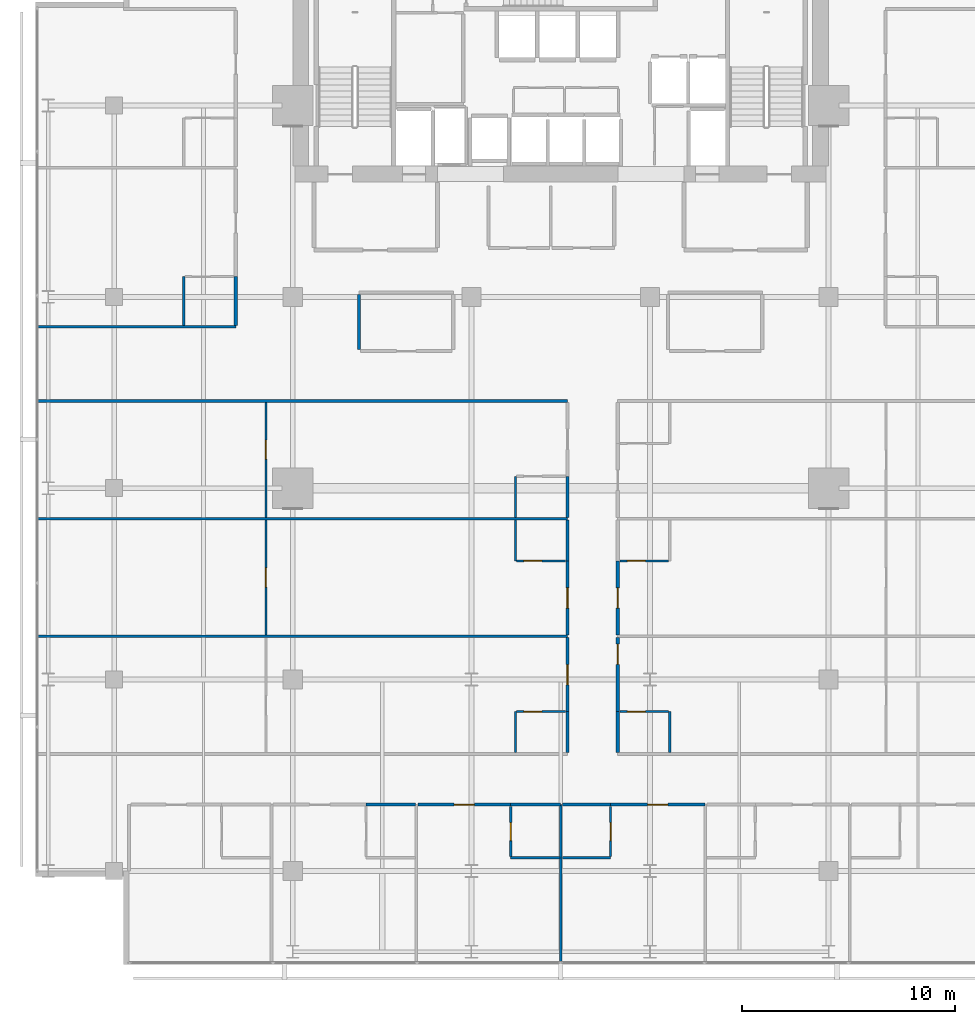
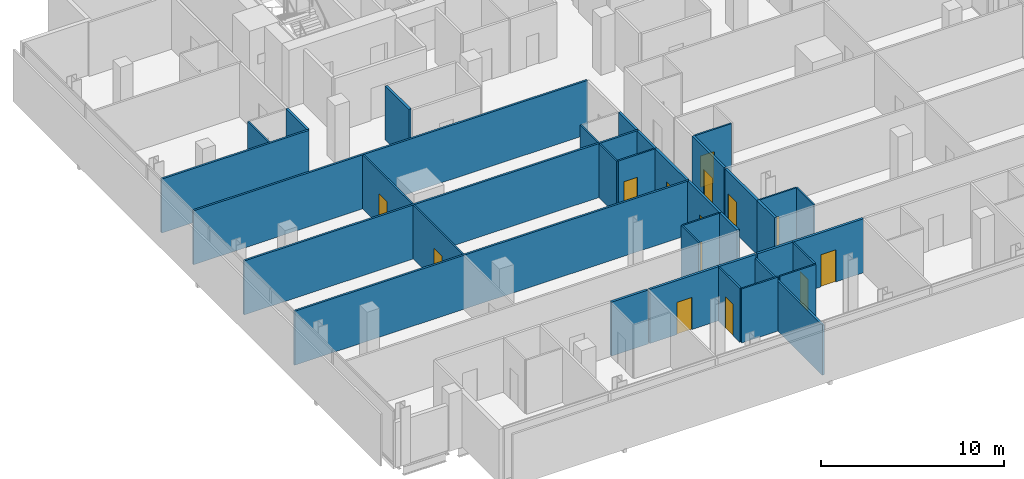
# One storey, part 27 of 33: 35 walls, 14 doors, 14 openings.
"""IFC4 building model written with IfcOpenShell, lengths in metres."""

from ifc_helpers import new_model, si_unit, direction, frame, frame_2d, origin, place, context, subcontext, project, spatial, rectangle, extrude, material, layer, layer_set, type_object, element, fill, save


model = new_model("IFC4")

# Units and contexts
model_context = context("Model", 3, precision=1e-05, world=origin(), true_north=direction((0.0, 1.0)))
body_context = subcontext(model_context, "Body", "Model", "MODEL_VIEW")
ifc_project = project(units=[si_unit("LENGTHUNIT", "METRE"), si_unit("AREAUNIT", "SQUARE_METRE"), si_unit("VOLUMEUNIT", "CUBIC_METRE"), si_unit("PLANEANGLEUNIT", "RADIAN"), si_unit("MASSUNIT", "GRAM", prefix="KILO")], contexts=[model_context])

# Site, building, storey
site_placement = place(None, origin())
site = spatial("IfcSite", under=ifc_project, at=site_placement, CompositionType="ELEMENT")
building_placement = place(site_placement, origin())
building = spatial("IfcBuilding", under=site, at=building_placement, Name="Maruvema Waterfront Hotel and Observation Tower", CompositionType="ELEMENT")
storey_placement = place(building_placement, frame((0.0, 0.0, 158.199951171875)))
storey = spatial("IfcBuildingStorey", under=building, at=storey_placement, Name="L38", CompositionType="ELEMENT", Elevation=158.199951171875)

# Walls
ifc_material_1 = material(Name="Twin-stud acoustic gypsum drywall", Category="gypsum")
ifc_layer_1 = layer(ifc_material_1, 0.14990234375, Name="Acoustic Corridor and Suite Demising Wall 150 mm")
ifc_layer_set_1 = layer_set([ifc_layer_1], Name="Twin-stud acoustic gypsum drywall")
wall_type_1 = type_object("IfcWallType", Name="Acoustic Corridor and Suite Demising Wall 150 mm", PredefinedType="PARTITIONING", material=ifc_layer_set_1)
wall_1_placement = place(storey_placement, frame((28.320068359375, 33.530029296875, 0.0), z_axis=(0.0, 0.0, 1.0), x_axis=(0.0, 1.0, 0.0)))
element("IfcWall", 1, at=wall_1_placement, inside=storey, type_object=wall_type_1, Name="L38 L38-M1 West Wall 028", PredefinedType="PARTITIONING", context=body_context, shape_type="SweptSolid", body=[
    extrude(rectangle(XDim=2.590087890625, YDim=0.14990234375, at=frame_2d((1.294921875, 0.0))), origin(), (0.0, 0.0, 1.0), 3.610107421875),
])
for number, where, z_axis, x_axis, name in (
    (2, (28.64990234375, 12.1201171875, 0.0), (0.0, 0.0, 1.0), (1.0, 0.0, 0.0), "L38 Bath L38-S2 Back Wall 042"),
    (3, (35.449951171875, 12.1201171875, 0.0), (0.0, 0.0, 1.0), (1.0, 0.0, 0.0), "L38 Bath L38-S3 Back Wall 047"),
):
    element("IfcWall", number, at=place(storey_placement, frame(where, z_axis=z_axis, x_axis=x_axis)), inside=storey, type_object=wall_type_1, Name=name, PredefinedType="PARTITIONING", context=body_context, shape_type="SweptSolid", body=[
        extrude(rectangle(XDim=2.330078125, YDim=0.14990234375, at=frame_2d((1.1650390625, 0.0))), origin(), (0.0, 0.0, 1.0), 3.610107421875),
    ])

# Wall, opening, door
wall_2_placement = place(storey_placement, frame((31.080078125, 12.1201171875, 0.0), z_axis=(0.0, 0.0, 1.0), x_axis=(1.0, 0.0, 0.0)))
wall_2 = element("IfcWall", 4, at=wall_2_placement, inside=storey, type_object=wall_type_1, Name="L38 Unit L38-S3 Corridor Wall 050", PredefinedType="PARTITIONING", context=body_context, shape_type="SweptSolid", body=[
    extrude(rectangle(XDim=4.369873046875, YDim=0.14990234375, at=frame_2d((2.18505859375, 0.0))), origin(), (0.0, 0.0, 1.0), 3.610107421875),
])
opening_1_placement = place(wall_2_placement, frame((1.7099609375, 0.0, 0.0)))
opening_1 = element("IfcOpeningElement", 5, at=opening_1_placement, cuts=wall_2, Name="Opening DR-095", PredefinedType="OPENING", context=body_context, shape_type="SweptSolid", body=[
    extrude(rectangle(XDim=0.949951171875, YDim=2.14990234375, at=frame_2d((0.47509765625, 1.074951171875))), frame((0.0, 0.0849609375, 0.0), z_axis=(0.0, -1.0, 0.0), x_axis=(1.0, 0.0, 0.0)), (0.0, 0.0, 1.0), 0.169921875),
])
ifc_material_2 = material(Name="Acoustic solid-core hardwood timber leaf", Category="wood")
door_type_1 = type_object("IfcDoorType", Name="Guestroom Entrance Fire Door 950x2150 mm", OperationType="NOTDEFINED", PredefinedType="DOOR", material=ifc_material_2)
door_1_placement = place(opening_1_placement, frame((0.949951171875, 0.0, 0.0), z_axis=(0.0, 0.0, 1.0), x_axis=(-1.0, 0.0, 0.0)))
door_1 = element("IfcDoor", 6, at=door_1_placement, inside=storey, type_object=door_type_1, Name="L38 Unit L38-S3 Entrance Door", OperationType="SINGLE_SWING_RIGHT", OverallHeight=2.14990234375, OverallWidth=0.949951171875, PredefinedType="DOOR", context=body_context, shape_type="SweptSolid", body=[
    extrude(rectangle(XDim=0.949951171875, YDim=2.14990234375, at=frame_2d((0.47509765625, 1.074951171875))), frame((0.0, 0.02490234375, 0.0), z_axis=(0.0, -1.0, 0.0), x_axis=(1.0, 0.0, 0.0)), (0.0, 0.0, 1.0), 0.050048828125),
])
fill(opening_1, door_1)

# Wall
wall_3_placement = place(storey_placement, frame((37.8798828125, 12.1201171875, 0.0), z_axis=(0.0, 0.0, 1.0), x_axis=(1.0, 0.0, 0.0)))
element("IfcWall", 7, at=wall_3_placement, inside=storey, type_object=wall_type_1, Name="L38 Bath L38-S4 Back Wall 052", PredefinedType="PARTITIONING", context=body_context, shape_type="SweptSolid", body=[
    extrude(rectangle(XDim=2.27001953125, YDim=0.14990234375, at=frame_2d((1.135009765625, 0.0))), origin(), (0.0, 0.0, 1.0), 3.610107421875),
])

# Wall, opening, door
wall_4_placement = place(storey_placement, frame((40.14990234375, 12.1201171875, 0.0), z_axis=(0.0, 0.0, 1.0), x_axis=(1.0, 0.0, 0.0)))
wall_4 = element("IfcWall", 8, at=wall_4_placement, inside=storey, type_object=wall_type_1, Name="L38 Unit L38-S4 Corridor Wall 055", PredefinedType="PARTITIONING", context=body_context, shape_type="SweptSolid", body=[
    extrude(rectangle(XDim=4.43017578125, YDim=0.14990234375, at=frame_2d((2.215087890625, 0.0))), origin(), (0.0, 0.0, 1.0), 3.610107421875),
])
opening_2_placement = place(wall_4_placement, frame((1.739990234375, 0.0, 0.0)))
opening_2 = element("IfcOpeningElement", 9, at=opening_2_placement, cuts=wall_4, Name="Opening DR-095", PredefinedType="OPENING", context=body_context, shape_type="SweptSolid", body=[
    extrude(rectangle(XDim=0.949951171875, YDim=2.14990234375, at=frame_2d((0.47509765625, 1.074951171875))), frame((0.0, 0.0849609375, 0.0), z_axis=(0.0, -1.0, 0.0), x_axis=(1.0, 0.0, 0.0)), (0.0, 0.0, 1.0), 0.169921875),
])
door_2_placement = place(opening_2_placement, frame((0.949951171875, 0.0, 0.0), z_axis=(0.0, 0.0, 1.0), x_axis=(-1.0, 0.0, 0.0)))
door_2 = element("IfcDoor", 10, at=door_2_placement, inside=storey, type_object=door_type_1, Name="L38 Unit L38-S4 Entrance Door", OperationType="SINGLE_SWING_RIGHT", OverallHeight=2.14990234375, OverallWidth=0.949951171875, PredefinedType="DOOR", context=body_context, shape_type="SweptSolid", body=[
    extrude(rectangle(XDim=0.949951171875, YDim=2.14990234375, at=frame_2d((0.47509765625, 1.074951171875))), frame((0.0, 0.02490234375, 0.0), z_axis=(0.0, -1.0, 0.0), x_axis=(1.0, 0.0, 0.0)), (0.0, 0.0, 1.0), 0.050048828125),
])
fill(opening_2, door_2)

# Wall
wall_5_placement = place(storey_placement, frame((38.1201171875, 14.56005859375, 0.0), z_axis=(0.0, 0.0, 1.0), x_axis=(0.0, 1.0, 0.0)))
element("IfcWall", 11, at=wall_5_placement, inside=storey, type_object=wall_type_1, Name="L38 Bath L38-W1 Wall 070", PredefinedType="PARTITIONING", context=body_context, shape_type="SweptSolid", body=[
    extrude(rectangle(XDim=1.929931640625, YDim=0.14990234375, at=frame_2d((0.96484375, 0.0))), origin(), (0.0, 0.0, 1.0), 3.610107421875),
])

# Wall, opening, door
wall_6_placement = place(storey_placement, frame((38.1201171875, 16.489990234375, 0.0), z_axis=(0.0, 0.0, 1.0), x_axis=(0.0, 1.0, 0.0)))
wall_6 = element("IfcWall", 12, at=wall_6_placement, inside=storey, type_object=wall_type_1, Name="L38 Room L38-W1 Corridor Wall 071", PredefinedType="PARTITIONING", context=body_context, shape_type="SweptSolid", body=[
    extrude(rectangle(XDim=3.47998046875, YDim=0.14990234375, at=frame_2d((1.739990234375, 0.0))), origin(), (0.0, 0.0, 1.0), 3.610107421875),
])
opening_3_placement = place(wall_6_placement, frame((1.264892578125, 0.0, 0.0)))
opening_3 = element("IfcOpeningElement", 13, at=opening_3_placement, cuts=wall_6, Name="Opening DR-095", PredefinedType="OPENING", context=body_context, shape_type="SweptSolid", body=[
    extrude(rectangle(XDim=0.949951171875, YDim=2.14990234375, at=frame_2d((0.47509765625, 1.074951171875))), frame((0.0, 0.0849609375, 0.0), z_axis=(0.0, -1.0, 0.0), x_axis=(1.0, 0.0, 0.0)), (0.0, 0.0, 1.0), 0.169921875),
])
door_3_placement = place(opening_3_placement, origin())
door_3 = element("IfcDoor", 14, at=door_3_placement, inside=storey, type_object=door_type_1, Name="L38 Room L38-W1 Entrance Door", OperationType="SINGLE_SWING_RIGHT", OverallHeight=2.14990234375, OverallWidth=0.949951171875, PredefinedType="DOOR", context=body_context, shape_type="SweptSolid", body=[
    extrude(rectangle(XDim=0.949951171875, YDim=2.14990234375, at=frame_2d((0.47509765625, 1.074951171875))), frame((0.0, 0.02490234375, 0.0), z_axis=(0.0, -1.0, 0.0), x_axis=(1.0, 0.0, 0.0)), (0.0, 0.0, 1.0), 0.050048828125),
])
fill(opening_3, door_3)

# Wall
wall_7_placement = place(storey_placement, frame((40.47998046875, 14.56005859375, 0.0), z_axis=(0.0, 0.0, 1.0), x_axis=(0.0, 1.0, 0.0)))
element("IfcWall", 15, at=wall_7_placement, inside=storey, type_object=wall_type_1, Name="L38 Bath L38-E1 Wall 075", PredefinedType="PARTITIONING", context=body_context, shape_type="SweptSolid", body=[
    extrude(rectangle(XDim=1.929931640625, YDim=0.14990234375, at=frame_2d((0.96484375, 0.0))), origin(), (0.0, 0.0, 1.0), 3.610107421875),
])

# Wall, opening, door
wall_8_placement = place(storey_placement, frame((40.47998046875, 16.489990234375, 0.0), z_axis=(0.0, 0.0, 1.0), x_axis=(0.0, 1.0, 0.0)))
wall_8 = element("IfcWall", 16, at=wall_8_placement, inside=storey, type_object=wall_type_1, Name="L38 Room L38-E1 Corridor Wall 076", PredefinedType="PARTITIONING", context=body_context, shape_type="SweptSolid", body=[
    extrude(rectangle(XDim=3.47998046875, YDim=0.14990234375, at=frame_2d((1.739990234375, 0.0))), origin(), (0.0, 0.0, 1.0), 3.610107421875),
])
opening_4_placement = place(wall_8_placement, frame((2.22509765625, 0.0, 0.0)))
opening_4 = element("IfcOpeningElement", 17, at=opening_4_placement, cuts=wall_8, Name="Opening DR-095", PredefinedType="OPENING", context=body_context, shape_type="SweptSolid", body=[
    extrude(rectangle(XDim=0.949951171875, YDim=2.14990234375, at=frame_2d((0.47509765625, 1.074951171875))), frame((0.0, 0.0849609375, 0.0), z_axis=(0.0, -1.0, 0.0), x_axis=(1.0, 0.0, 0.0)), (0.0, 0.0, 1.0), 0.169921875),
])
door_4_placement = place(opening_4_placement, frame((0.949951171875, 0.0, 0.0), z_axis=(0.0, 0.0, 1.0), x_axis=(-1.0, 0.0, 0.0)))
door_4 = element("IfcDoor", 18, at=door_4_placement, inside=storey, type_object=door_type_1, Name="L38 Room L38-E1 Entrance Door", OperationType="SINGLE_SWING_LEFT", OverallHeight=2.14990234375, OverallWidth=0.949951171875, PredefinedType="DOOR", context=body_context, shape_type="SweptSolid", body=[
    extrude(rectangle(XDim=0.949951171875, YDim=2.14990234375, at=frame_2d((0.47509765625, 1.074951171875))), frame((0.0, 0.02490234375, 0.0), z_axis=(0.0, -1.0, 0.0), x_axis=(1.0, 0.0, 0.0)), (0.0, 0.0, 1.0), 0.050048828125),
])
fill(opening_4, door_4)

wall_9_placement = place(storey_placement, frame((38.1201171875, 20.090087890625, 0.0), z_axis=(0.0, 0.0, 1.0), x_axis=(0.0, 1.0, 0.0)))
wall_9 = element("IfcWall", 19, at=wall_9_placement, inside=storey, type_object=wall_type_1, Name="L38 Room L38-W2 Corridor Wall 082", PredefinedType="PARTITIONING", context=body_context, shape_type="SweptSolid", body=[
    extrude(rectangle(XDim=3.489990234375, YDim=0.14990234375, at=frame_2d((1.7451171875, 0.0))), origin(), (0.0, 0.0, 1.0), 3.610107421875),
])
opening_5_placement = place(wall_9_placement, frame((1.27001953125, 0.0, 0.0)))
opening_5 = element("IfcOpeningElement", 20, at=opening_5_placement, cuts=wall_9, Name="Opening DR-095", PredefinedType="OPENING", context=body_context, shape_type="SweptSolid", body=[
    extrude(rectangle(XDim=0.949951171875, YDim=2.14990234375, at=frame_2d((0.47509765625, 1.074951171875))), frame((0.0, 0.0849609375, 0.0), z_axis=(0.0, -1.0, 0.0), x_axis=(1.0, 0.0, 0.0)), (0.0, 0.0, 1.0), 0.169921875),
])
door_5_placement = place(opening_5_placement, origin())
door_5 = element("IfcDoor", 21, at=door_5_placement, inside=storey, type_object=door_type_1, Name="L38 Room L38-W2 Entrance Door", OperationType="SINGLE_SWING_RIGHT", OverallHeight=2.14990234375, OverallWidth=0.949951171875, PredefinedType="DOOR", context=body_context, shape_type="SweptSolid", body=[
    extrude(rectangle(XDim=0.949951171875, YDim=2.14990234375, at=frame_2d((0.47509765625, 1.074951171875))), frame((0.0, 0.02490234375, 0.0), z_axis=(0.0, -1.0, 0.0), x_axis=(1.0, 0.0, 0.0)), (0.0, 0.0, 1.0), 0.050048828125),
])
fill(opening_5, door_5)

# Wall
wall_10_placement = place(storey_placement, frame((38.1201171875, 23.580078125, 0.0), z_axis=(0.0, 0.0, 1.0), x_axis=(0.0, 1.0, 0.0)))
element("IfcWall", 22, at=wall_10_placement, inside=storey, type_object=wall_type_1, Name="L38 Bath L38-W2 Wall 083", PredefinedType="PARTITIONING", context=body_context, shape_type="SweptSolid", body=[
    extrude(rectangle(XDim=1.929931640625, YDim=0.14990234375, at=frame_2d((0.96484375, 0.0))), origin(), (0.0, 0.0, 1.0), 3.610107421875),
])

# Wall, opening, door
wall_11_placement = place(storey_placement, frame((40.47998046875, 20.090087890625, 0.0), z_axis=(0.0, 0.0, 1.0), x_axis=(0.0, 1.0, 0.0)))
wall_11 = element("IfcWall", 23, at=wall_11_placement, inside=storey, type_object=wall_type_1, Name="L38 Room L38-E2 Corridor Wall 087", PredefinedType="PARTITIONING", context=body_context, shape_type="SweptSolid", body=[
    extrude(rectangle(XDim=3.489990234375, YDim=0.14990234375, at=frame_2d((1.7451171875, 0.0))), origin(), (0.0, 0.0, 1.0), 3.610107421875),
])
opening_6_placement = place(wall_11_placement, frame((1.27001953125, 0.0, 0.0)))
opening_6 = element("IfcOpeningElement", 24, at=opening_6_placement, cuts=wall_11, Name="Opening DR-095", PredefinedType="OPENING", context=body_context, shape_type="SweptSolid", body=[
    extrude(rectangle(XDim=0.949951171875, YDim=2.14990234375, at=frame_2d((0.47509765625, 1.074951171875))), frame((0.0, 0.0849609375, 0.0), z_axis=(0.0, -1.0, 0.0), x_axis=(1.0, 0.0, 0.0)), (0.0, 0.0, 1.0), 0.169921875),
])
door_6_placement = place(opening_6_placement, frame((0.949951171875, 0.0, 0.0), z_axis=(0.0, 0.0, 1.0), x_axis=(-1.0, 0.0, 0.0)))
door_6 = element("IfcDoor", 25, at=door_6_placement, inside=storey, type_object=door_type_1, Name="L38 Room L38-E2 Entrance Door", OperationType="SINGLE_SWING_LEFT", OverallHeight=2.14990234375, OverallWidth=0.949951171875, PredefinedType="DOOR", context=body_context, shape_type="SweptSolid", body=[
    extrude(rectangle(XDim=0.949951171875, YDim=2.14990234375, at=frame_2d((0.47509765625, 1.074951171875))), frame((0.0, 0.02490234375, 0.0), z_axis=(0.0, -1.0, 0.0), x_axis=(1.0, 0.0, 0.0)), (0.0, 0.0, 1.0), 0.050048828125),
])
fill(opening_6, door_6)

# Walls
wall_12_placement = place(storey_placement, frame((38.1201171875, 25.6298828125, 0.0), z_axis=(0.0, 0.0, 1.0), x_axis=(0.0, 1.0, 0.0)))
element("IfcWall", 26, at=wall_12_placement, inside=storey, type_object=wall_type_1, Name="L38 Bath L38-W3 Wall 094", PredefinedType="PARTITIONING", context=body_context, shape_type="SweptSolid", body=[
    extrude(rectangle(XDim=1.93017578125, YDim=0.14990234375, at=frame_2d((0.965087890625, 0.0))), origin(), (0.0, 0.0, 1.0), 3.610107421875),
])
wall_13_placement = place(storey_placement, frame((22.52001953125, 34.659912109375, 0.0), z_axis=(0.0, 0.0, 1.0), x_axis=(0.0, 1.0, 0.0)))
element("IfcWall", 27, at=wall_13_placement, inside=storey, type_object=wall_type_1, Name="L38 Bath L38-NW1 Wall 108", PredefinedType="PARTITIONING", context=body_context, shape_type="SweptSolid", body=[
    extrude(rectangle(XDim=2.2900390625, YDim=0.14990234375, at=frame_2d((1.14501953125, 0.0))), origin(), (0.0, 0.0, 1.0), 3.610107421875),
])
ifc_material_3 = material(Name="Moisture-resistant cement-board drywall", Category="gypsum")
ifc_layer_2 = layer(ifc_material_3, 0.10009765625, Name="En-Suite Moisture-Resistant Partition 100 mm")
ifc_layer_set_2 = layer_set([ifc_layer_2], Name="Moisture-resistant cement-board drywall")
wall_type_2 = type_object("IfcWallType", Name="En-Suite Moisture-Resistant Partition 100 mm", PredefinedType="PARTITIONING", material=ifc_layer_set_2)
wall_14_placement = place(storey_placement, frame((35.449951171875, 9.6201171875, 0.0), z_axis=(0.0, 0.0, 1.0), x_axis=(1.0, 0.0, 0.0)))
element("IfcWall", 28, at=wall_14_placement, inside=storey, type_object=wall_type_2, Name="L38 En-Suite L38-S3 South 048", PredefinedType="PARTITIONING", context=body_context, shape_type="SweptSolid", body=[
    extrude(rectangle(XDim=2.31005859375, YDim=0.10009765625, at=frame_2d((1.155029296875, 0.0))), origin(), (0.0, 0.0, 1.0), 3.610107421875),
])

# Wall, opening, door
wall_15_placement = place(storey_placement, frame((35.449951171875, 9.679931640625, 0.0), z_axis=(0.0, 0.0, 1.0), x_axis=(0.0, 1.0, 0.0)))
wall_15 = element("IfcWall", 29, at=wall_15_placement, inside=storey, type_object=wall_type_2, Name="L38 En-Suite L38-S3 West 049", PredefinedType="PARTITIONING", context=body_context, shape_type="SweptSolid", body=[
    extrude(rectangle(XDim=2.340087890625, YDim=0.10009765625, at=frame_2d((1.169921875, 0.0))), origin(), (0.0, 0.0, 1.0), 3.610107421875),
])
opening_7_placement = place(wall_15_placement, frame((0.7451171875, 0.0, 0.0)))
opening_7 = element("IfcOpeningElement", 30, at=opening_7_placement, cuts=wall_15, Name="Opening DR-085", PredefinedType="OPENING", context=body_context, shape_type="SweptSolid", body=[
    extrude(rectangle(XDim=0.85009765625, YDim=2.10009765625, at=frame_2d((0.425048828125, 1.050048828125))), frame((0.0, 0.06005859375, 0.0), z_axis=(0.0, -1.0, 0.0), x_axis=(1.0, 0.0, 0.0)), (0.0, 0.0, 1.0), 0.1201171875),
])
ifc_material_4 = material(Name="Moisture-resistant solid timber leaf", Category="wood")
door_type_2 = type_object("IfcDoorType", Name="En-Suite Bathroom Door 850x2100 mm", OperationType="NOTDEFINED", PredefinedType="DOOR", material=ifc_material_4)
door_7_placement = place(opening_7_placement, origin())
door_7 = element("IfcDoor", 31, at=door_7_placement, inside=storey, type_object=door_type_2, Name="L38 En-Suite L38-S3 Door", OperationType="SINGLE_SWING_LEFT", OverallHeight=2.10009765625, OverallWidth=0.85009765625, PredefinedType="DOOR", context=body_context, shape_type="SweptSolid", body=[
    extrude(rectangle(XDim=0.85009765625, YDim=2.10009765625, at=frame_2d((0.425048828125, 1.050048828125))), frame((0.0, 0.02490234375, 0.0), z_axis=(0.0, -1.0, 0.0), x_axis=(1.0, 0.0, 0.0)), (0.0, 0.0, 1.0), 0.050048828125),
])
fill(opening_7, door_7)

# Wall
wall_16_placement = place(storey_placement, frame((37.8798828125, 9.6201171875, 0.0), z_axis=(0.0, 0.0, 1.0), x_axis=(1.0, 0.0, 0.0)))
element("IfcWall", 32, at=wall_16_placement, inside=storey, type_object=wall_type_2, Name="L38 En-Suite L38-S4 South 053", PredefinedType="PARTITIONING", context=body_context, shape_type="SweptSolid", body=[
    extrude(rectangle(XDim=2.27001953125, YDim=0.10009765625, at=frame_2d((1.135009765625, 0.0))), origin(), (0.0, 0.0, 1.0), 3.610107421875),
])

# Wall, opening, door
wall_17_placement = place(storey_placement, frame((40.14990234375, 9.679931640625, 0.0), z_axis=(0.0, 0.0, 1.0), x_axis=(0.0, 1.0, 0.0)))
wall_17 = element("IfcWall", 33, at=wall_17_placement, inside=storey, type_object=wall_type_2, Name="L38 En-Suite L38-S4 East 054", PredefinedType="PARTITIONING", context=body_context, shape_type="SweptSolid", body=[
    extrude(rectangle(XDim=2.340087890625, YDim=0.10009765625, at=frame_2d((1.169921875, 0.0))), origin(), (0.0, 0.0, 1.0), 3.610107421875),
])
opening_8_placement = place(wall_17_placement, frame((0.7451171875, 0.0, 0.0)))
opening_8 = element("IfcOpeningElement", 34, at=opening_8_placement, cuts=wall_17, Name="Opening DR-085", PredefinedType="OPENING", context=body_context, shape_type="SweptSolid", body=[
    extrude(rectangle(XDim=0.85009765625, YDim=2.10009765625, at=frame_2d((0.425048828125, 1.050048828125))), frame((0.0, 0.06005859375, 0.0), z_axis=(0.0, -1.0, 0.0), x_axis=(1.0, 0.0, 0.0)), (0.0, 0.0, 1.0), 0.1201171875),
])
door_8_placement = place(opening_8_placement, frame((0.85009765625, 0.0, 0.0), z_axis=(0.0, 0.0, 1.0), x_axis=(-1.0, 0.0, 0.0)))
door_8 = element("IfcDoor", 35, at=door_8_placement, inside=storey, type_object=door_type_2, Name="L38 En-Suite L38-S4 Door", OperationType="SINGLE_SWING_LEFT", OverallHeight=2.10009765625, OverallWidth=0.85009765625, PredefinedType="DOOR", context=body_context, shape_type="SweptSolid", body=[
    extrude(rectangle(XDim=0.85009765625, YDim=2.10009765625, at=frame_2d((0.425048828125, 1.050048828125))), frame((0.0, 0.02490234375, 0.0), z_axis=(0.0, -1.0, 0.0), x_axis=(1.0, 0.0, 0.0)), (0.0, 0.0, 1.0), 0.050048828125),
])
fill(opening_8, door_8)

# Wall
wall_18_placement = place(storey_placement, frame((35.669921875, 14.56005859375, 0.0), z_axis=(0.0, 0.0, 1.0), x_axis=(0.0, 1.0, 0.0)))
element("IfcWall", 36, at=wall_18_placement, inside=storey, type_object=wall_type_2, Name="L38 En-Suite L38-W1 W 072", PredefinedType="PARTITIONING", context=body_context, shape_type="SweptSolid", body=[
    extrude(rectangle(XDim=1.929931640625, YDim=0.10009765625, at=frame_2d((0.96484375, 0.0))), origin(), (0.0, 0.0, 1.0), 3.610107421875),
])

# Wall, opening, door
wall_19_placement = place(storey_placement, frame((35.719970703125, 16.489990234375, 0.0), z_axis=(0.0, 0.0, 1.0), x_axis=(1.0, 0.0, 0.0)))
wall_19 = element("IfcWall", 37, at=wall_19_placement, inside=storey, type_object=wall_type_2, Name="L38 En-Suite L38-W1 N 073", PredefinedType="PARTITIONING", context=body_context, shape_type="SweptSolid", body=[
    extrude(rectangle(XDim=2.300048828125, YDim=0.10009765625, at=frame_2d((1.14990234375, 0.0))), origin(), (0.0, 0.0, 1.0), 3.610107421875),
])
opening_9_placement = place(wall_19_placement, frame((0.35009765625, 0.0, 0.0)))
opening_9 = element("IfcOpeningElement", 38, at=opening_9_placement, cuts=wall_19, Name="Opening DR-085", PredefinedType="OPENING", context=body_context, shape_type="SweptSolid", body=[
    extrude(rectangle(XDim=0.85009765625, YDim=2.10009765625, at=frame_2d((0.425048828125, 1.050048828125))), frame((0.0, 0.06005859375, 0.0), z_axis=(0.0, -1.0, 0.0), x_axis=(1.0, 0.0, 0.0)), (0.0, 0.0, 1.0), 0.1201171875),
])
door_9_placement = place(opening_9_placement, origin())
door_9 = element("IfcDoor", 39, at=door_9_placement, inside=storey, type_object=door_type_2, Name="L38 En-Suite L38-W1 Door", OperationType="SINGLE_SWING_LEFT", OverallHeight=2.10009765625, OverallWidth=0.85009765625, PredefinedType="DOOR", context=body_context, shape_type="SweptSolid", body=[
    extrude(rectangle(XDim=0.85009765625, YDim=2.10009765625, at=frame_2d((0.425048828125, 1.050048828125))), frame((0.0, 0.02490234375, 0.0), z_axis=(0.0, -1.0, 0.0), x_axis=(1.0, 0.0, 0.0)), (0.0, 0.0, 1.0), 0.050048828125),
])
fill(opening_9, door_9)

# Wall
wall_20_placement = place(storey_placement, frame((42.929931640625, 14.56005859375, 0.0), z_axis=(0.0, 0.0, 1.0), x_axis=(0.0, 1.0, 0.0)))
element("IfcWall", 40, at=wall_20_placement, inside=storey, type_object=wall_type_2, Name="L38 En-Suite L38-E1 E 077", PredefinedType="PARTITIONING", context=body_context, shape_type="SweptSolid", body=[
    extrude(rectangle(XDim=1.929931640625, YDim=0.10009765625, at=frame_2d((0.96484375, 0.0))), origin(), (0.0, 0.0, 1.0), 3.610107421875),
])

# Wall, opening, door
wall_21_placement = place(storey_placement, frame((40.580078125, 16.489990234375, 0.0), z_axis=(0.0, 0.0, 1.0), x_axis=(1.0, 0.0, 0.0)))
wall_21 = element("IfcWall", 41, at=wall_21_placement, inside=storey, type_object=wall_type_2, Name="L38 En-Suite L38-E1 N 078", PredefinedType="PARTITIONING", context=body_context, shape_type="SweptSolid", body=[
    extrude(rectangle(XDim=2.2998046875, YDim=0.10009765625, at=frame_2d((1.14990234375, 0.0))), origin(), (0.0, 0.0, 1.0), 3.610107421875),
])
opening_10_placement = place(wall_21_placement, frame((0.35009765625, 0.0, 0.0)))
opening_10 = element("IfcOpeningElement", 42, at=opening_10_placement, cuts=wall_21, Name="Opening DR-085", PredefinedType="OPENING", context=body_context, shape_type="SweptSolid", body=[
    extrude(rectangle(XDim=0.85009765625, YDim=2.10009765625, at=frame_2d((0.425048828125, 1.050048828125))), frame((0.0, 0.06005859375, 0.0), z_axis=(0.0, -1.0, 0.0), x_axis=(1.0, 0.0, 0.0)), (0.0, 0.0, 1.0), 0.1201171875),
])
door_10_placement = place(opening_10_placement, origin())
door_10 = element("IfcDoor", 43, at=door_10_placement, inside=storey, type_object=door_type_2, Name="L38 En-Suite L38-E1 Door", OperationType="SINGLE_SWING_RIGHT", OverallHeight=2.10009765625, OverallWidth=0.85009765625, PredefinedType="DOOR", context=body_context, shape_type="SweptSolid", body=[
    extrude(rectangle(XDim=0.85009765625, YDim=2.10009765625, at=frame_2d((0.425048828125, 1.050048828125))), frame((0.0, 0.02490234375, 0.0), z_axis=(0.0, -1.0, 0.0), x_axis=(1.0, 0.0, 0.0)), (0.0, 0.0, 1.0), 0.050048828125),
])
fill(opening_10, door_10)

# Wall
wall_22_placement = place(storey_placement, frame((35.669921875, 23.580078125, 0.0), z_axis=(0.0, 0.0, 1.0), x_axis=(0.0, 1.0, 0.0)))
element("IfcWall", 44, at=wall_22_placement, inside=storey, type_object=wall_type_2, Name="L38 En-Suite L38-W2 W 084", PredefinedType="PARTITIONING", context=body_context, shape_type="SweptSolid", body=[
    extrude(rectangle(XDim=1.929931640625, YDim=0.10009765625, at=frame_2d((0.96484375, 0.0))), origin(), (0.0, 0.0, 1.0), 3.610107421875),
])

# Wall, opening, door
wall_23_placement = place(storey_placement, frame((35.719970703125, 23.580078125, 0.0), z_axis=(0.0, 0.0, 1.0), x_axis=(1.0, 0.0, 0.0)))
wall_23 = element("IfcWall", 45, at=wall_23_placement, inside=storey, type_object=wall_type_2, Name="L38 En-Suite L38-W2 S 085", PredefinedType="PARTITIONING", context=body_context, shape_type="SweptSolid", body=[
    extrude(rectangle(XDim=2.300048828125, YDim=0.10009765625, at=frame_2d((1.14990234375, 0.0))), origin(), (0.0, 0.0, 1.0), 3.610107421875),
])
opening_11_placement = place(wall_23_placement, frame((0.35009765625, 0.0, 0.0)))
opening_11 = element("IfcOpeningElement", 46, at=opening_11_placement, cuts=wall_23, Name="Opening DR-085", PredefinedType="OPENING", context=body_context, shape_type="SweptSolid", body=[
    extrude(rectangle(XDim=0.85009765625, YDim=2.10009765625, at=frame_2d((0.425048828125, 1.050048828125))), frame((0.0, 0.06005859375, 0.0), z_axis=(0.0, -1.0, 0.0), x_axis=(1.0, 0.0, 0.0)), (0.0, 0.0, 1.0), 0.1201171875),
])
door_11_placement = place(opening_11_placement, frame((0.85009765625, 0.0, 0.0), z_axis=(0.0, 0.0, 1.0), x_axis=(-1.0, 0.0, 0.0)))
door_11 = element("IfcDoor", 47, at=door_11_placement, inside=storey, type_object=door_type_2, Name="L38 En-Suite L38-W2 Door", OperationType="SINGLE_SWING_LEFT", OverallHeight=2.10009765625, OverallWidth=0.85009765625, PredefinedType="DOOR", context=body_context, shape_type="SweptSolid", body=[
    extrude(rectangle(XDim=0.85009765625, YDim=2.10009765625, at=frame_2d((0.425048828125, 1.050048828125))), frame((0.0, 0.02490234375, 0.0), z_axis=(0.0, -1.0, 0.0), x_axis=(1.0, 0.0, 0.0)), (0.0, 0.0, 1.0), 0.050048828125),
])
fill(opening_11, door_11)

wall_24_placement = place(storey_placement, frame((23.93359375, 20.090087890625, 0.0), z_axis=(0.0, 0.0, 1.0), x_axis=(0.0, 1.0, 0.0)))
wall_24 = element("IfcWall", 48, at=wall_24_placement, inside=storey, type_object=wall_type_2, Name="L38 Suite L38-W2 Split 086", PredefinedType="PARTITIONING", context=body_context, shape_type="SweptSolid", body=[
    extrude(rectangle(XDim=5.419921875, YDim=0.10009765625, at=frame_2d((2.7099609375, 0.0))), origin(), (0.0, 0.0, 1.0), 3.610107421875),
])
opening_12_placement = place(wall_24_placement, frame((2.260009765625, 0.0, 0.0)))
opening_12 = element("IfcOpeningElement", 49, at=opening_12_placement, cuts=wall_24, Name="Opening DR-090", PredefinedType="OPENING", context=body_context, shape_type="SweptSolid", body=[
    extrude(rectangle(XDim=0.89990234375, YDim=2.10009765625, at=frame_2d((0.449951171875, 1.050048828125))), frame((0.0, 0.06005859375, 0.0), z_axis=(0.0, -1.0, 0.0), x_axis=(1.0, 0.0, 0.0)), (0.0, 0.0, 1.0), 0.1201171875),
])
ifc_material_5 = material(Name="Solid-core lacquered timber leaf", Category="wood")
door_type_3 = type_object("IfcDoorType", Name="Accessible Toilet and Room Door 900x2100 mm", OperationType="NOTDEFINED", PredefinedType="DOOR", material=ifc_material_5)
door_12_placement = place(opening_12_placement, origin())
door_12 = element("IfcDoor", 50, at=door_12_placement, inside=storey, type_object=door_type_3, Name="L38 Suite L38-W2 Bedroom Door", OperationType="SINGLE_SWING_LEFT", OverallHeight=2.10009765625, OverallWidth=0.89990234375, PredefinedType="DOOR", context=body_context, shape_type="SweptSolid", body=[
    extrude(rectangle(XDim=0.89990234375, YDim=2.10009765625, at=frame_2d((0.449951171875, 1.050048828125))), frame((0.0, 0.02490234375, 0.0), z_axis=(0.0, -1.0, 0.0), x_axis=(1.0, 0.0, 0.0)), (0.0, 0.0, 1.0), 0.050048828125),
])
fill(opening_12, door_12)

wall_25_placement = place(storey_placement, frame((40.580078125, 23.580078125, 0.0), z_axis=(0.0, 0.0, 1.0), x_axis=(1.0, 0.0, 0.0)))
wall_25 = element("IfcWall", 51, at=wall_25_placement, inside=storey, type_object=wall_type_2, Name="L38 En-Suite L38-E2 S 090", PredefinedType="PARTITIONING", context=body_context, shape_type="SweptSolid", body=[
    extrude(rectangle(XDim=2.2998046875, YDim=0.10009765625, at=frame_2d((1.14990234375, 0.0))), origin(), (0.0, 0.0, 1.0), 3.610107421875),
])
opening_13_placement = place(wall_25_placement, frame((0.35009765625, 0.0, 0.0)))
opening_13 = element("IfcOpeningElement", 52, at=opening_13_placement, cuts=wall_25, Name="Opening DR-085", PredefinedType="OPENING", context=body_context, shape_type="SweptSolid", body=[
    extrude(rectangle(XDim=0.85009765625, YDim=2.10009765625, at=frame_2d((0.425048828125, 1.050048828125))), frame((0.0, 0.06005859375, 0.0), z_axis=(0.0, -1.0, 0.0), x_axis=(1.0, 0.0, 0.0)), (0.0, 0.0, 1.0), 0.1201171875),
])
door_13_placement = place(opening_13_placement, frame((0.85009765625, 0.0, 0.0), z_axis=(0.0, 0.0, 1.0), x_axis=(-1.0, 0.0, 0.0)))
door_13 = element("IfcDoor", 53, at=door_13_placement, inside=storey, type_object=door_type_2, Name="L38 En-Suite L38-E2 Door", OperationType="SINGLE_SWING_RIGHT", OverallHeight=2.10009765625, OverallWidth=0.85009765625, PredefinedType="DOOR", context=body_context, shape_type="SweptSolid", body=[
    extrude(rectangle(XDim=0.85009765625, YDim=2.10009765625, at=frame_2d((0.425048828125, 1.050048828125))), frame((0.0, 0.02490234375, 0.0), z_axis=(0.0, -1.0, 0.0), x_axis=(1.0, 0.0, 0.0)), (0.0, 0.0, 1.0), 0.050048828125),
])
fill(opening_13, door_13)

# Wall
wall_26_placement = place(storey_placement, frame((35.669921875, 25.6298828125, 0.0), z_axis=(0.0, 0.0, 1.0), x_axis=(0.0, 1.0, 0.0)))
element("IfcWall", 54, at=wall_26_placement, inside=storey, type_object=wall_type_2, Name="L38 En-Suite L38-W3 W 096", PredefinedType="PARTITIONING", context=body_context, shape_type="SweptSolid", body=[
    extrude(rectangle(XDim=1.93017578125, YDim=0.10009765625, at=frame_2d((0.965087890625, 0.0))), origin(), (0.0, 0.0, 1.0), 3.610107421875),
])

# Wall, opening, door
wall_27_placement = place(storey_placement, frame((23.93359375, 25.6298828125, 0.0), z_axis=(0.0, 0.0, 1.0), x_axis=(0.0, 1.0, 0.0)))
wall_27 = element("IfcWall", 55, at=wall_27_placement, inside=storey, type_object=wall_type_2, Name="L38 Suite L38-W3 Split 098", PredefinedType="PARTITIONING", context=body_context, shape_type="SweptSolid", body=[
    extrude(rectangle(XDim=5.41015625, YDim=0.10009765625, at=frame_2d((2.705078125, 0.0))), origin(), (0.0, 0.0, 1.0), 3.610107421875),
])
opening_14_placement = place(wall_27_placement, frame((2.735107421875, 0.0, 0.0)))
opening_14 = element("IfcOpeningElement", 56, at=opening_14_placement, cuts=wall_27, Name="Opening DR-090", PredefinedType="OPENING", context=body_context, shape_type="SweptSolid", body=[
    extrude(rectangle(XDim=0.89990234375, YDim=2.10009765625, at=frame_2d((0.449951171875, 1.050048828125))), frame((0.0, 0.06005859375, 0.0), z_axis=(0.0, -1.0, 0.0), x_axis=(1.0, 0.0, 0.0)), (0.0, 0.0, 1.0), 0.1201171875),
])
door_14_placement = place(opening_14_placement, origin())
door_14 = element("IfcDoor", 57, at=door_14_placement, inside=storey, type_object=door_type_3, Name="L38 Suite L38-W3 Bedroom Door", OperationType="SINGLE_SWING_LEFT", OverallHeight=2.10009765625, OverallWidth=0.89990234375, PredefinedType="DOOR", context=body_context, shape_type="SweptSolid", body=[
    extrude(rectangle(XDim=0.89990234375, YDim=2.10009765625, at=frame_2d((0.449951171875, 1.050048828125))), frame((0.0, 0.02490234375, 0.0), z_axis=(0.0, -1.0, 0.0), x_axis=(1.0, 0.0, 0.0)), (0.0, 0.0, 1.0), 0.050048828125),
])
fill(opening_14, door_14)

# Walls
wall_28_placement = place(storey_placement, frame((20.070068359375, 34.659912109375, 0.0), z_axis=(0.0, 0.0, 1.0), x_axis=(0.0, 1.0, 0.0)))
element("IfcWall", 58, at=wall_28_placement, inside=storey, type_object=wall_type_2, Name="L38 En-Suite L38-NW1 W 110", PredefinedType="PARTITIONING", context=body_context, shape_type="SweptSolid", body=[
    extrude(rectangle(XDim=2.2900390625, YDim=0.10009765625, at=frame_2d((1.14501953125, 0.0))), origin(), (0.0, 0.0, 1.0), 3.610107421875),
])
ifc_material_6 = material(Name="Acoustic gypsum plasterboard drywall", Category="gypsum")
ifc_layer_3 = layer(ifc_material_6, 0.125, Name="Guestroom Acoustic Demising Wall 125 mm")
ifc_layer_set_3 = layer_set([ifc_layer_3], Name="Acoustic gypsum plasterboard drywall")
wall_type_3 = type_object("IfcWallType", Name="Guestroom Acoustic Demising Wall 125 mm", PredefinedType="PARTITIONING", material=ifc_layer_set_3)
wall_29_placement = place(storey_placement, frame((37.800048828125, 4.699951171875, 0.0), z_axis=(0.0, 0.0, 1.0), x_axis=(0.0, 1.0, 0.0)))
element("IfcWall", 59, at=wall_29_placement, inside=storey, type_object=wall_type_3, Name="L38 Z2 S Demising 4 051", PredefinedType="PARTITIONING", context=body_context, shape_type="SweptSolid", body=[
    extrude(rectangle(XDim=7.420166015625, YDim=0.125, at=frame_2d((3.7099609375, 0.0))), origin(), (0.0, 0.0, 1.0), 3.343994140625),
])
for number, where, z_axis, x_axis, name in (
    (60, (13.199951171875, 31.10009765625, 0.0), (0.0, 0.0, 1.0), (1.0, 0.0, 0.0), "L38 Z2 W Top End 068"),
    (61, (13.199951171875, 20.030029296875, 0.0), (0.0, 0.0, 1.0), (1.0, 0.0, 0.0), "L38 Z2 W Demising 2 080"),
    (62, (13.199951171875, 25.570068359375, 0.0), (0.0, 0.0, 1.0), (1.0, 0.0, 0.0), "L38 Z2 W Demising 3 092"),
):
    element("IfcWall", number, at=place(storey_placement, frame(where, z_axis=z_axis, x_axis=x_axis)), inside=storey, type_object=wall_type_3, Name=name, PredefinedType="PARTITIONING", context=body_context, shape_type="SweptSolid", body=[
        extrude(rectangle(XDim=24.920166015625, YDim=0.125, at=frame_2d((12.4599609375, 0.0))), origin(), (0.0, 0.0, 1.0), 3.610107421875),
    ])
wall_30_placement = place(storey_placement, frame((13.199951171875, 34.60009765625, 0.0), z_axis=(0.0, 0.0, 1.0), x_axis=(1.0, 0.0, 0.0)))
element("IfcWall", 63, at=wall_30_placement, inside=storey, type_object=wall_type_3, Name="L38 Z2 NW Bot End 104", PredefinedType="PARTITIONING", context=body_context, shape_type="SweptSolid", body=[
    extrude(rectangle(XDim=9.320068359375, YDim=0.125, at=frame_2d((4.66015625, 0.0))), origin(), (0.0, 0.0, 1.0), 3.610107421875),
])

save(model, "model.ifc")
